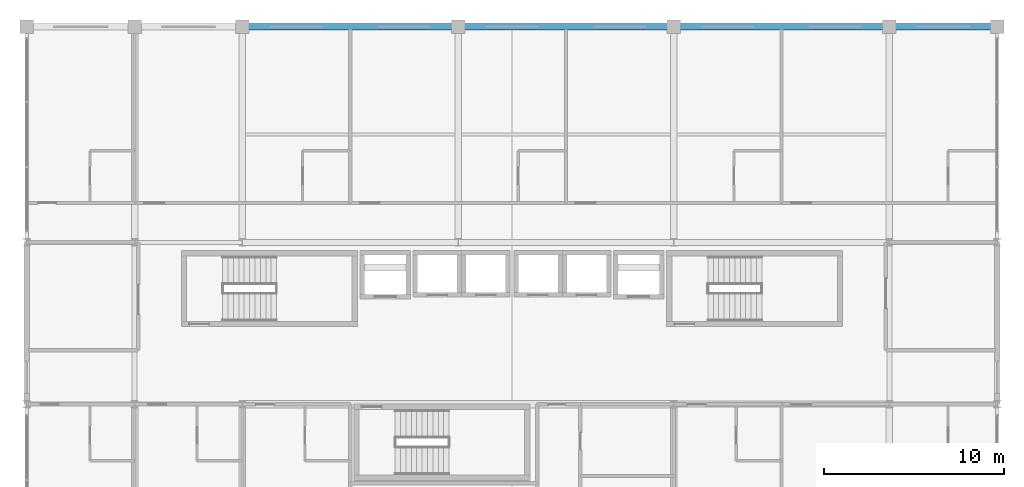
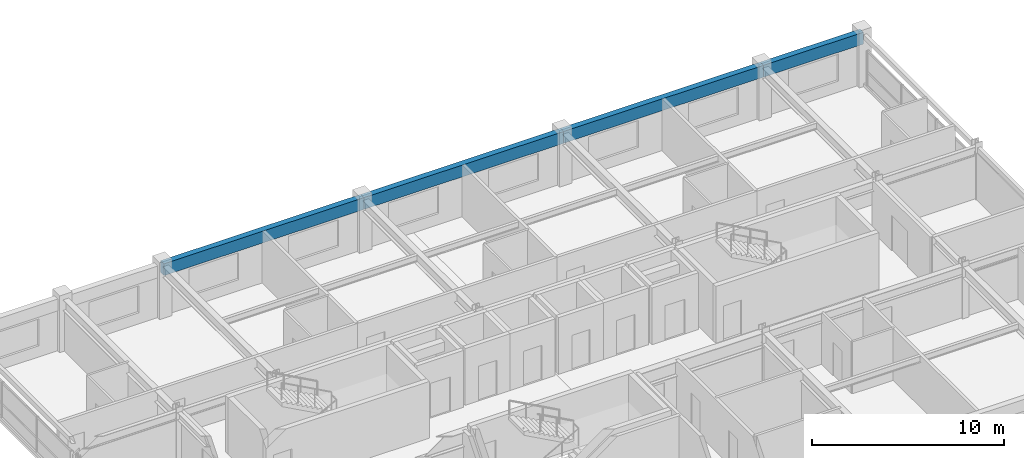
# One storey, part 13 of 20: 4 beams.
"""IFC4 building model written with IfcOpenShell, lengths in metres."""

from ifc_helpers import new_model, si_unit, direction, frame, origin, origin_2d, place, context, subcontext, project, spatial, rectangle, extrude, material, material_profile, profile_set, type_object, element, save


model = new_model("IFC4")

# Units and contexts
model_context = context("Model", 3, precision=1e-05, world=origin(), true_north=direction((0.0, 1.0)))
body_context = subcontext(model_context, "Body", "Model", "MODEL_VIEW")
ifc_project = project(units=[si_unit("LENGTHUNIT", "METRE"), si_unit("AREAUNIT", "SQUARE_METRE"), si_unit("VOLUMEUNIT", "CUBIC_METRE"), si_unit("PLANEANGLEUNIT", "RADIAN"), si_unit("MASSUNIT", "GRAM", prefix="KILO")], contexts=[model_context])

# Site, building, storey
site_placement = place(None, origin())
site = spatial("IfcSite", under=ifc_project, at=site_placement, CompositionType="ELEMENT")
building_placement = place(site_placement, origin())
building = spatial("IfcBuilding", under=site, at=building_placement, Name="Kaldorvane Square Convention Centre", CompositionType="ELEMENT")
storey_placement = place(building_placement, frame((0.0, 0.0, 56.399993896484375)))
storey = spatial("IfcBuildingStorey", under=building, at=storey_placement, Name="L13", CompositionType="ELEMENT", Elevation=56.399993896484375)

# Beams
ifc_material = material(Name="Concrete f'c = 42 MPa (Normalweight)", Category="concrete")
ifc_material_profile = material_profile(ifc_material, rectangle(XDim=0.350006103515625, YDim=0.75, at=origin_2d()), Name="RCSP750X350")
ifc_profile_set = profile_set([ifc_material_profile], Name="Concrete f'c = 42 MPa (Normalweight)")
beam_type = type_object("IfcBeamType", Name="BM-SP-RC750", PredefinedType="SPANDREL", material=ifc_profile_set)
for number, where, z_axis, x_axis, name in (
    (1, (42.0, 117.0, 2.9110107421875), (1.0, 0.0, 0.0), (0.0, 1.0, 0.0), "Perimeter Spandrel (L13)"),
    (2, (54.0, 117.0, 2.9110107421875), (1.0, 0.0, 0.0), (0.0, 1.0, 0.0), "Perimeter Spandrel (L13)"),
    (3, (66.0, 117.0, 2.9110107421875), (1.0, 0.0, 0.0), (0.0, 1.0, 0.0), "Perimeter Spandrel (L13)"),
):
    element("IfcBeam", number, at=place(storey_placement, frame(where, z_axis=z_axis, x_axis=x_axis)), inside=storey, type_object=beam_type, Name=name, PredefinedType="SPANDREL", context=body_context, shape_type="SweptSolid", body=[
        extrude(rectangle(XDim=0.350006103515625, YDim=0.75, at=origin_2d()), origin(), (0.0, 0.0, 1.0), 12.0),
    ])
beam_placement = place(storey_placement, frame((78.0, 117.0, 2.9110107421875), z_axis=(1.0, 0.0, 0.0), x_axis=(0.0, 1.0, 0.0)))
element("IfcBeam", 4, at=beam_placement, inside=storey, type_object=beam_type, Name="Perimeter Spandrel (L13)", PredefinedType="SPANDREL", context=body_context, shape_type="SweptSolid", body=[
    extrude(rectangle(XDim=0.350006103515625, YDim=0.75, at=origin_2d()), origin(), (0.0, 0.0, 1.0), 6.0),
])

save(model, "model.ifc")
